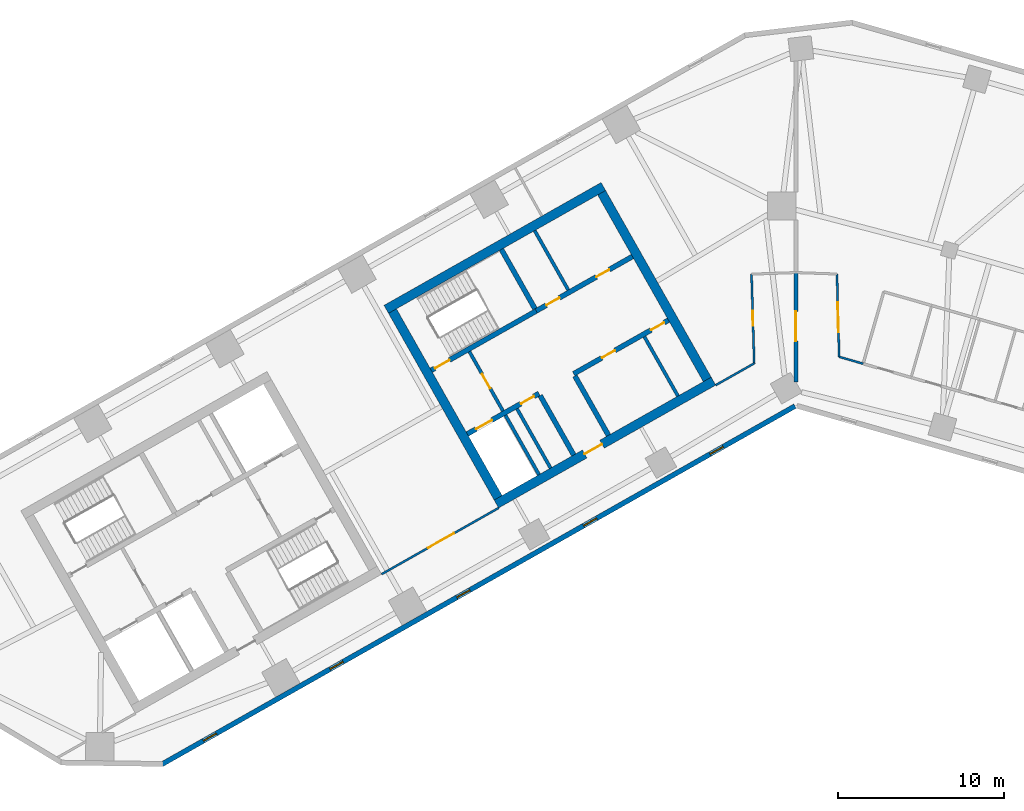
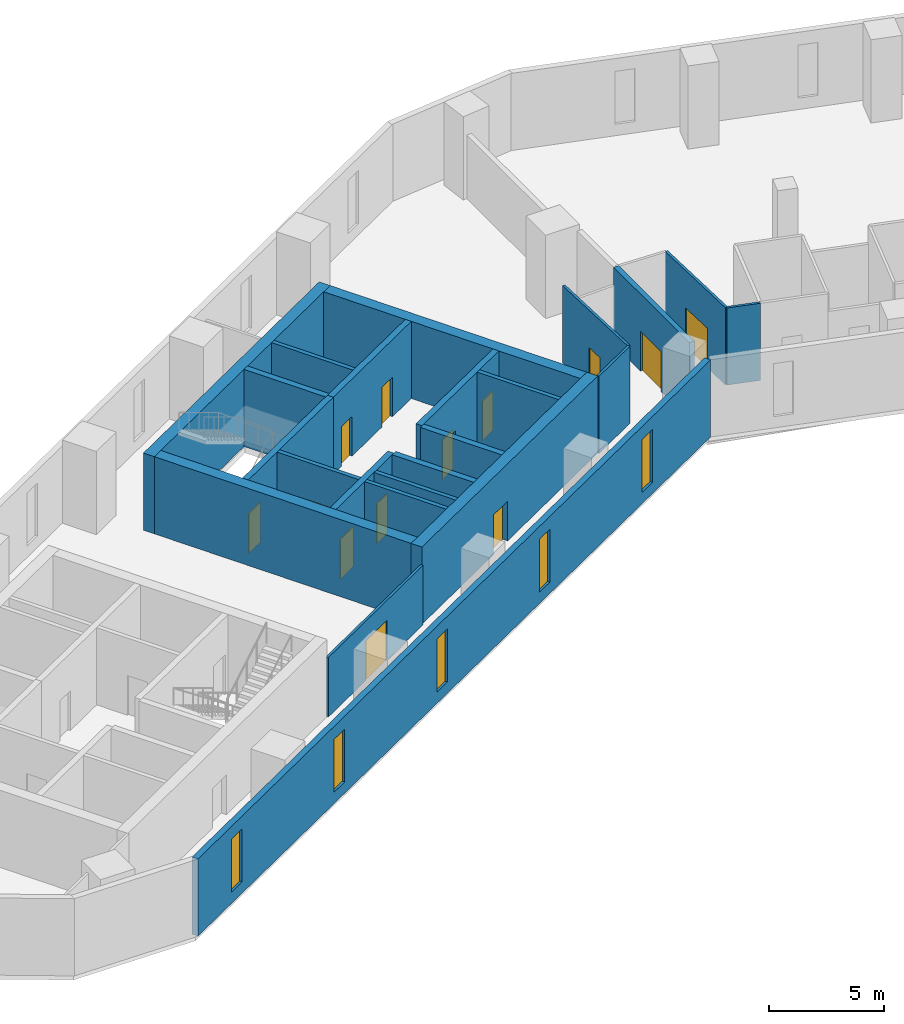
# One storey, part 4 of 10: 23 walls, 13 doors, 5 windows, 18 openings.
"""IFC4 building model written with IfcOpenShell, lengths in metres."""

from ifc_helpers import new_model, si_unit, direction, frame, frame_2d, origin, place, context, subcontext, project, spatial, rectangle, extrude, material, layer, layer_set, type_object, element, fill, save


model = new_model("IFC4")

# Units and contexts
model_context = context("Model", 3, precision=1e-05, world=origin(), true_north=direction((0.0, 1.0)))
body_context = subcontext(model_context, "Body", "Model", "MODEL_VIEW")
ifc_project = project(units=[si_unit("LENGTHUNIT", "METRE"), si_unit("AREAUNIT", "SQUARE_METRE"), si_unit("VOLUMEUNIT", "CUBIC_METRE"), si_unit("PLANEANGLEUNIT", "RADIAN"), si_unit("MASSUNIT", "GRAM", prefix="KILO")], contexts=[model_context])

# Site, building, storey
site_placement = place(None, origin())
site = spatial("IfcSite", under=ifc_project, at=site_placement, CompositionType="ELEMENT")
building_placement = place(site_placement, origin())
building = spatial("IfcBuilding", under=site, at=building_placement, Name="Binnacle Exchange Tower", CompositionType="ELEMENT")
storey_placement = place(building_placement, frame((0.0, 0.0, 127.89990234375)))
storey = spatial("IfcBuildingStorey", under=building, at=storey_placement, Name="L26", CompositionType="ELEMENT", Elevation=127.89990234375)

# Walls
ifc_material_1 = material(Name="Gypsum partition fire rated")
ifc_layer_1 = layer(ifc_material_1, 0.199951171875)
ifc_layer_set_1 = layer_set([ifc_layer_1], Name="Core partition 200")
wall_type_1 = type_object("IfcWallType", Name="Core partition 200", PredefinedType="PARTITIONING", material=ifc_layer_set_1)
wall_1_placement = place(storey_placement, frame((-15.709228515625, 58.52294921875, 0.0), z_axis=(0.0, 0.0, 1.0), x_axis=(0.492428039142, -0.870353161807, 0.0)))
element("IfcWall", 1, at=wall_1_placement, inside=storey, type_object=wall_type_1, Name="Core wall CRWC17", PredefinedType="PARTITIONING", context=body_context, shape_type="SweptSolid", body=[
    extrude(rectangle(XDim=4.10009765625, YDim=0.199951171875, at=frame_2d((2.050048828125, 0.0))), origin(), (0.0, 0.0, 1.0), 4.080078125),
])
wall_2_placement = place(storey_placement, frame((-9.11279296875, 52.14404296875, 0.0), z_axis=(0.0, 0.0, 1.0), x_axis=(0.492408451753, -0.87036424366, 0.0)))
element("IfcWall", 2, at=wall_2_placement, inside=storey, type_object=wall_type_1, Name="Core wall CRWC22", PredefinedType="PARTITIONING", context=body_context, shape_type="SweptSolid", body=[
    extrude(rectangle(XDim=4.099853515625, YDim=0.199951171875, at=frame_2d((2.0498046875, 0.0))), origin(), (0.0, 0.0, 1.0), 4.080078125),
])

# Wall, openings, doors
ifc_material_2 = material(Name="Concrete C70/85", Category="concrete")
ifc_layer_2 = layer(ifc_material_2, 0.300048828125)
ifc_layer_set_2 = layer_set([ifc_layer_2], Name="Core wall - front 300")
wall_type_2 = type_object("IfcWallType", Name="Core wall - front 300", PredefinedType="SOLIDWALL", material=ifc_layer_set_2)
wall_3_placement = place(storey_placement, frame((-19.76171875, 46.291748046875, 0.0), z_axis=(0.0, 0.0, 1.0), x_axis=(0.870359758983, 0.49241637863, 0.0)))
wall_3 = element("IfcWall", 3, at=wall_3_placement, inside=storey, type_object=wall_type_2, Name="Core wall CRWC2", PredefinedType="SOLIDWALL", context=body_context, shape_type="SweptSolid", body=[
    extrude(rectangle(XDim=4.9501953125, YDim=0.300048828125, at=frame_2d((2.47509765625, 0.0))), origin(), (0.0, 0.0, 1.0), 4.080078125),
])
opening_1_placement = place(wall_3_placement, frame((0.60009765625, 0.0, 0.0)))
opening_1 = element("IfcOpeningElement", 4, at=opening_1_placement, cuts=wall_3, Name="Opening LD14", PredefinedType="OPENING", context=body_context, shape_type="SweptSolid", body=[
    extrude(rectangle(XDim=1.10009765625, YDim=2.10009765625, at=frame_2d((0.550048828125, 1.050048828125))), frame((0.0, 0.159912109375, 0.0), z_axis=(0.0, -1.0, 0.0), x_axis=(1.0, 0.0, 0.0)), (0.0, 0.0, 1.0), 0.320068359375),
])
opening_2_placement = place(wall_3_placement, frame((3.699951171875, 0.0, 0.0)))
opening_2 = element("IfcOpeningElement", 5, at=opening_2_placement, cuts=wall_3, Name="Opening DC14", PredefinedType="OPENING", context=body_context, shape_type="SweptSolid", body=[
    extrude(rectangle(XDim=0.89990234375, YDim=2.10009765625, at=frame_2d((0.449951171875, 1.050048828125))), frame((0.0, 0.159912109375, 0.0), z_axis=(0.0, -1.0, 0.0), x_axis=(1.0, 0.0, 0.0)), (0.0, 0.0, 1.0), 0.320068359375),
])
ifc_material_3 = material(Name="Steel door leaf", Category="steel")
door_type_1 = type_object("IfcDoorType", Name="Fire door - lift landing 1100", OperationType="NOTDEFINED", PredefinedType="DOOR", material=ifc_material_3)
door_1_placement = place(opening_1_placement, origin())
door_1 = element("IfcDoor", 6, at=door_1_placement, inside=storey, type_object=door_type_1, Name="Landing door LD14 L26", OperationType="DOUBLE_DOOR_SLIDING", OverallHeight=2.10009765625, OverallWidth=1.10009765625, PredefinedType="DOOR", context=body_context, shape_type="SweptSolid", body=[
    extrude(rectangle(XDim=1.10009765625, YDim=2.10009765625, at=frame_2d((0.550048828125, 1.050048828125))), frame((0.0, 0.02490234375, 0.0), z_axis=(0.0, -1.0, 0.0), x_axis=(1.0, 0.0, 0.0)), (0.0, 0.0, 1.0), 0.050048828125),
])
fill(opening_1, door_1)
door_type_2 = type_object("IfcDoorType", Name="Fire door 900", OperationType="NOTDEFINED", PredefinedType="DOOR", material=ifc_material_3)
door_2_placement = place(opening_2_placement, frame((0.89990234375, 0.0, 0.0), z_axis=(0.0, 0.0, 1.0), x_axis=(-1.0, 0.0, 0.0)))
door_2 = element("IfcDoor", 7, at=door_2_placement, inside=storey, type_object=door_type_2, Name="Core room door FIBRE ENTRY ROOM", OperationType="SINGLE_SWING_LEFT", OverallHeight=2.10009765625, OverallWidth=0.89990234375, PredefinedType="DOOR", context=body_context, shape_type="SweptSolid", body=[
    extrude(rectangle(XDim=0.89990234375, YDim=2.10009765625, at=frame_2d((0.449951171875, 1.050048828125))), frame((0.0, 0.02490234375, 0.0), z_axis=(0.0, -1.0, 0.0), x_axis=(1.0, 0.0, 0.0)), (0.0, 0.0, 1.0), 0.050048828125),
])
fill(opening_2, door_2)

wall_4_placement = place(storey_placement, frame((-13.364501953125, 49.910888671875, 0.0), z_axis=(0.0, 0.0, 1.0), x_axis=(0.870336435567, 0.492457601144, 0.0)))
wall_4 = element("IfcWall", 8, at=wall_4_placement, inside=storey, type_object=wall_type_2, Name="Core wall CRWC3", PredefinedType="SOLIDWALL", context=body_context, shape_type="SweptSolid", body=[
    extrude(rectangle(XDim=6.550048828125, YDim=0.300048828125, at=frame_2d((3.27490234375, 0.0))), origin(), (0.0, 0.0, 1.0), 4.080078125),
])
opening_3_placement = place(wall_4_placement, frame((1.949951171875, 0.0, 0.0)))
opening_3 = element("IfcOpeningElement", 9, at=opening_3_placement, cuts=wall_4, Name="Opening DC18", PredefinedType="OPENING", context=body_context, shape_type="SweptSolid", body=[
    extrude(rectangle(XDim=0.89990234375, YDim=2.10009765625, at=frame_2d((0.449951171875, 1.050048828125))), frame((0.0, 0.159912109375, 0.0), z_axis=(0.0, -1.0, 0.0), x_axis=(1.0, 0.0, 0.0)), (0.0, 0.0, 1.0), 0.320068359375),
])
opening_4_placement = place(wall_4_placement, frame((5.35009765625, 0.0, 0.0)))
opening_4 = element("IfcOpeningElement", 10, at=opening_4_placement, cuts=wall_4, Name="Opening DC19", PredefinedType="OPENING", context=body_context, shape_type="SweptSolid", body=[
    extrude(rectangle(XDim=0.89990234375, YDim=2.10009765625, at=frame_2d((0.449951171875, 1.050048828125))), frame((0.0, 0.159912109375, 0.0), z_axis=(0.0, -1.0, 0.0), x_axis=(1.0, 0.0, 0.0)), (0.0, 0.0, 1.0), 0.320068359375),
])
door_3_placement = place(opening_3_placement, frame((0.89990234375, 0.0, 0.0), z_axis=(0.0, 0.0, 1.0), x_axis=(-1.0, 0.0, 0.0)))
door_3 = element("IfcDoor", 11, at=door_3_placement, inside=storey, type_object=door_type_2, Name="Core room door TELECOM RISER ROOM", OperationType="SINGLE_SWING_RIGHT", OverallHeight=2.10009765625, OverallWidth=0.89990234375, PredefinedType="DOOR", context=body_context, shape_type="SweptSolid", body=[
    extrude(rectangle(XDim=0.89990234375, YDim=2.10009765625, at=frame_2d((0.449951171875, 1.050048828125))), frame((0.0, 0.02490234375, 0.0), z_axis=(0.0, -1.0, 0.0), x_axis=(1.0, 0.0, 0.0)), (0.0, 0.0, 1.0), 0.050048828125),
])
fill(opening_3, door_3)
door_4_placement = place(opening_4_placement, frame((0.89990234375, 0.0, 0.0), z_axis=(0.0, 0.0, 1.0), x_axis=(-1.0, 0.0, 0.0)))
door_4 = element("IfcDoor", 12, at=door_4_placement, inside=storey, type_object=door_type_2, Name="Core room door COMMS RISER ROOM", OperationType="SINGLE_SWING_LEFT", OverallHeight=2.10009765625, OverallWidth=0.89990234375, PredefinedType="DOOR", context=body_context, shape_type="SweptSolid", body=[
    extrude(rectangle(XDim=0.89990234375, YDim=2.10009765625, at=frame_2d((0.449951171875, 1.050048828125))), frame((0.0, 0.02490234375, 0.0), z_axis=(0.0, -1.0, 0.0), x_axis=(1.0, 0.0, 0.0)), (0.0, 0.0, 1.0), 0.050048828125),
])
fill(opening_4, door_4)

wall_5_placement = place(storey_placement, frame((-15.6181640625, 53.69140625, 0.0), z_axis=(0.0, 0.0, 1.0), x_axis=(0.870367894134, 0.492401999246, 0.0)))
wall_5 = element("IfcWall", 13, at=wall_5_placement, inside=storey, type_object=wall_type_2, Name="Core wall CRWC5", PredefinedType="SOLIDWALL", context=body_context, shape_type="SweptSolid", body=[
    extrude(rectangle(XDim=6.64990234375, YDim=0.300048828125, at=frame_2d((3.324951171875, 0.0))), origin(), (0.0, 0.0, 1.0), 4.080078125),
])
opening_5_placement = place(wall_5_placement, frame((0.699951171875, 0.0, 0.0)))
opening_5 = element("IfcOpeningElement", 14, at=opening_5_placement, cuts=wall_5, Name="Opening DC10", PredefinedType="OPENING", context=body_context, shape_type="SweptSolid", body=[
    extrude(rectangle(XDim=0.89990234375, YDim=2.10009765625, at=frame_2d((0.449951171875, 1.050048828125))), frame((0.0, 0.159912109375, 0.0), z_axis=(0.0, -1.0, 0.0), x_axis=(1.0, 0.0, 0.0)), (0.0, 0.0, 1.0), 0.320068359375),
])
opening_6_placement = place(wall_5_placement, frame((4.14990234375, 0.0, 0.0)))
opening_6 = element("IfcOpeningElement", 15, at=opening_6_placement, cuts=wall_5, Name="Opening DC11", PredefinedType="OPENING", context=body_context, shape_type="SweptSolid", body=[
    extrude(rectangle(XDim=0.89990234375, YDim=2.10009765625, at=frame_2d((0.449951171875, 1.050048828125))), frame((0.0, 0.159912109375, 0.0), z_axis=(0.0, -1.0, 0.0), x_axis=(1.0, 0.0, 0.0)), (0.0, 0.0, 1.0), 0.320068359375),
])
door_5_placement = place(opening_5_placement, origin())
door_5 = element("IfcDoor", 16, at=door_5_placement, inside=storey, type_object=door_type_2, Name="Core room door UPS CUPBOARD", OperationType="SINGLE_SWING_LEFT", OverallHeight=2.10009765625, OverallWidth=0.89990234375, PredefinedType="DOOR", context=body_context, shape_type="SweptSolid", body=[
    extrude(rectangle(XDim=0.89990234375, YDim=2.10009765625, at=frame_2d((0.449951171875, 1.050048828125))), frame((0.0, 0.02490234375, 0.0), z_axis=(0.0, -1.0, 0.0), x_axis=(1.0, 0.0, 0.0)), (0.0, 0.0, 1.0), 0.050048828125),
])
fill(opening_5, door_5)
door_6_placement = place(opening_6_placement, origin())
door_6 = element("IfcDoor", 17, at=door_6_placement, inside=storey, type_object=door_type_2, Name="Core room door EQUIPMENT STORE", OperationType="SINGLE_SWING_RIGHT", OverallHeight=2.10009765625, OverallWidth=0.89990234375, PredefinedType="DOOR", context=body_context, shape_type="SweptSolid", body=[
    extrude(rectangle(XDim=0.89990234375, YDim=2.10009765625, at=frame_2d((0.449951171875, 1.050048828125))), frame((0.0, 0.02490234375, 0.0), z_axis=(0.0, -1.0, 0.0), x_axis=(1.0, 0.0, 0.0)), (0.0, 0.0, 1.0), 0.050048828125),
])
fill(opening_6, door_6)

# Walls
wall_6_placement = place(storey_placement, frame((-15.37939453125, 48.5986328125, 0.0), z_axis=(0.0, 0.0, 1.0), x_axis=(0.492408451753, -0.87036424366, 0.0)))
element("IfcWall", 18, at=wall_6_placement, inside=storey, type_object=wall_type_2, Name="Core wall CRWC13", PredefinedType="SOLIDWALL", context=body_context, shape_type="SweptSolid", body=[
    extrude(rectangle(XDim=4.099853515625, YDim=0.300048828125, at=frame_2d((2.0498046875, 0.0))), origin(), (0.0, 0.0, 1.0), 4.080078125),
])
wall_7_placement = place(storey_placement, frame((-13.29052734375, 49.780517578125, 0.0), z_axis=(0.0, 0.0, 1.0), x_axis=(0.492382931784, -0.870378681085, 0.0)))
element("IfcWall", 19, at=wall_7_placement, inside=storey, type_object=wall_type_2, Name="Core wall CRWC15", PredefinedType="SOLIDWALL", context=body_context, shape_type="SweptSolid", body=[
    extrude(rectangle(XDim=4.10009765625, YDim=0.300048828125, at=frame_2d((2.050048828125, 0.0))), origin(), (0.0, 0.0, 1.0), 4.080078125),
])

# Wall, opening, door
ifc_layer_3 = layer(ifc_material_2, 0.550048828125)
ifc_layer_set_3 = layer_set([ifc_layer_3], Name="Core wall - outer 550")
wall_type_3 = type_object("IfcWallType", Name="Core wall - outer 550", PredefinedType="SOLIDWALL", material=ifc_layer_set_3)
wall_8_placement = place(storey_placement, frame((-18.01220703125, 42.08251953125, 0.0), z_axis=(0.0, 0.0, 1.0), x_axis=(0.870360574057, 0.492414937962, 0.0)))
wall_8 = element("IfcWall", 20, at=wall_8_placement, inside=storey, type_object=wall_type_3, Name="Core wall CRWC1", PredefinedType="SOLIDWALL", context=body_context, shape_type="SweptSolid", body=[
    extrude(rectangle(XDim=15.0, YDim=0.550048828125, at=frame_2d((7.5, 0.0))), origin(), (0.0, 0.0, 1.0), 4.080078125),
])
opening_7_placement = place(wall_8_placement, frame((6.10009765625, 0.0, 0.0)))
opening_7 = element("IfcOpeningElement", 21, at=opening_7_placement, cuts=wall_8, Name="Opening DC7", PredefinedType="OPENING", context=body_context, shape_type="SweptSolid", body=[
    extrude(rectangle(XDim=1.199951171875, YDim=2.10009765625, at=frame_2d((0.60009765625, 1.050048828125))), frame((0.0, 0.284912109375, 0.0), z_axis=(0.0, -1.0, 0.0), x_axis=(1.0, 0.0, 0.0)), (0.0, 0.0, 1.0), 0.570068359375),
])
door_type_3 = type_object("IfcDoorType", Name="Fire door 1200", OperationType="NOTDEFINED", PredefinedType="DOOR", material=ifc_material_3)
door_7_placement = place(opening_7_placement, frame((1.199951171875, 0.0, 0.0), z_axis=(0.0, 0.0, 1.0), x_axis=(-1.0, 0.0, 0.0)))
door_7 = element("IfcDoor", 22, at=door_7_placement, inside=storey, type_object=door_type_3, Name="Lift lobby entrance door core C", OperationType="SINGLE_SWING_RIGHT", OverallHeight=2.10009765625, OverallWidth=1.199951171875, PredefinedType="DOOR", context=body_context, shape_type="SweptSolid", body=[
    extrude(rectangle(XDim=1.199951171875, YDim=2.10009765625, at=frame_2d((0.60009765625, 1.050048828125))), frame((0.0, 0.02490234375, 0.0), z_axis=(0.0, -1.0, 0.0), x_axis=(1.0, 0.0, 0.0)), (0.0, 0.0, 1.0), 0.050048828125),
])
fill(opening_7, door_7)

# Walls
wall_9_placement = place(storey_placement, frame((-24.63525390625, 53.788818359375, 0.0), z_axis=(0.0, 0.0, 1.0), x_axis=(0.870360574057, 0.492414937962, 0.0)))
element("IfcWall", 23, at=wall_9_placement, inside=storey, type_object=wall_type_3, Name="Core wall CRWC6", PredefinedType="SOLIDWALL", context=body_context, shape_type="SweptSolid", body=[
    extrude(rectangle(XDim=15.0, YDim=0.550048828125, at=frame_2d((7.5, 0.0))), origin(), (0.0, 0.0, 1.0), 4.080078125),
])
for number, where, z_axis, x_axis, name in (
    (24, (-24.260498046875, 53.684814453125, 0.0), (0.0, 0.0, 1.0), (0.492427022044, -0.870353737259, 0.0), "Core wall CRWC7"),
    (25, (-11.683837890625, 60.80029296875, 0.0), (0.0, 0.0, 1.0), (0.492427022044, -0.870353737259, 0.0), "Core wall CRWC24"),
):
    element("IfcWall", number, at=place(storey_placement, frame(where, z_axis=z_axis, x_axis=x_axis)), inside=storey, type_object=wall_type_3, Name=name, PredefinedType="SOLIDWALL", context=body_context, shape_type="SweptSolid", body=[
        extrude(rectangle(XDim=12.89990234375, YDim=0.550048828125, at=frame_2d((6.449951171875, 0.0))), origin(), (0.0, 0.0, 1.0), 4.080078125),
    ])

# Wall, opening, door
ifc_layer_4 = layer(ifc_material_2, 0.300048828125)
ifc_layer_set_4 = layer_set([ifc_layer_4], Name="Core wall - stair 300")
wall_type_4 = type_object("IfcWallType", Name="Core wall - stair 300", PredefinedType="SOLIDWALL", material=ifc_layer_set_4)
wall_10_placement = place(storey_placement, frame((-21.92822265625, 50.12109375, 0.0), z_axis=(0.0, 0.0, 1.0), x_axis=(0.870340732628, 0.49245000673, 0.0)))
wall_10 = element("IfcWall", 26, at=wall_10_placement, inside=storey, type_object=wall_type_4, Name="Core wall CRWC4", PredefinedType="SOLIDWALL", context=body_context, shape_type="SweptSolid", body=[
    extrude(rectangle(XDim=7.25, YDim=0.300048828125, at=frame_2d((3.625, 0.0))), origin(), (0.0, 0.0, 1.0), 4.080078125),
])
opening_8_placement = place(wall_10_placement, frame((0.25, 0.0, 0.0)))
opening_8 = element("IfcOpeningElement", 27, at=opening_8_placement, cuts=wall_10, Name="Opening DC1", PredefinedType="OPENING", context=body_context, shape_type="SweptSolid", body=[
    extrude(rectangle(XDim=1.0, YDim=2.10009765625, at=frame_2d((0.5, 1.050048828125))), frame((0.0, 0.159912109375, 0.0), z_axis=(0.0, -1.0, 0.0), x_axis=(1.0, 0.0, 0.0)), (0.0, 0.0, 1.0), 0.320068359375),
])
door_type_4 = type_object("IfcDoorType", Name="Fire door 1000", OperationType="NOTDEFINED", PredefinedType="DOOR", material=ifc_material_3)
door_8_placement = place(opening_8_placement, origin())
door_8 = element("IfcDoor", 28, at=door_8_placement, inside=storey, type_object=door_type_4, Name="Stair door ST-C1", OperationType="SINGLE_SWING_LEFT", OverallHeight=2.10009765625, OverallWidth=1.0, PredefinedType="DOOR", context=body_context, shape_type="SweptSolid", body=[
    extrude(rectangle(XDim=1.0, YDim=2.10009765625, at=frame_2d((0.5, 1.050048828125))), frame((0.0, 0.02490234375, 0.0), z_axis=(0.0, -1.0, 0.0), x_axis=(1.0, 0.0, 0.0)), (0.0, 0.0, 1.0), 0.050048828125),
])
fill(opening_8, door_8)

# Wall
wall_11_placement = place(storey_placement, frame((-17.7109375, 57.390380859375, 0.0), z_axis=(0.0, 0.0, 1.0), x_axis=(0.492408451753, -0.87036424366, 0.0)))
element("IfcWall", 29, at=wall_11_placement, inside=storey, type_object=wall_type_4, Name="Core wall CRWC14", PredefinedType="SOLIDWALL", context=body_context, shape_type="SweptSolid", body=[
    extrude(rectangle(XDim=4.099853515625, YDim=0.300048828125, at=frame_2d((2.0498046875, 0.0))), origin(), (0.0, 0.0, 1.0), 4.080078125),
])

# Wall, openings, windows
ifc_material_4 = material(Name="Bronze aluminium cladding", Category="aluminium")
ifc_layer_5 = layer(ifc_material_4, 0.300048828125)
ifc_layer_set_5 = layer_set([ifc_layer_5], Name="External wall - spandrel 300")
wall_type_5 = type_object("IfcWallType", Name="External wall - spandrel 300", PredefinedType="STANDARD", material=ifc_layer_set_5)
wall_12_placement = place(storey_placement, frame((-0.0546875, 47.968994140625, 0.0), z_axis=(0.0, 0.0, 1.0), x_axis=(-0.870355730478, -0.492423499058, 0.0)))
wall_12 = element("IfcWall", 30, at=wall_12_placement, inside=storey, type_object=wall_type_5, Name="External wall EW-F07 L26", PredefinedType="STANDARD", context=body_context, shape_type="SweptSolid", body=[
    extrude(rectangle(XDim=43.750244140625, YDim=0.300048828125, at=frame_2d((21.875, 0.0))), origin(), (0.0, 0.0, 1.0), 4.080078125),
])
opening_9_placement = place(wall_12_placement, frame((39.976806640625, 0.0, 0.60009765625)))
opening_9 = element("IfcOpeningElement", 31, at=opening_9_placement, cuts=wall_12, Name="Opening WS2", PredefinedType="OPENING", context=body_context, shape_type="SweptSolid", body=[
    extrude(rectangle(XDim=0.89990234375, YDim=2.800048828125, at=frame_2d((0.449951171875, 1.39990234375))), frame((0.0, 0.159912109375, 0.0), z_axis=(0.0, -1.0, 0.0), x_axis=(1.0, 0.0, 0.0)), (0.0, 0.0, 1.0), 0.320068359375),
])
opening_10_placement = place(wall_12_placement, frame((31.222412109375, 0.0, 0.60009765625)))
opening_10 = element("IfcOpeningElement", 32, at=opening_10_placement, cuts=wall_12, Name="Opening WS2", PredefinedType="OPENING", context=body_context, shape_type="SweptSolid", body=[
    extrude(rectangle(XDim=0.89990234375, YDim=2.800048828125, at=frame_2d((0.449951171875, 1.39990234375))), frame((0.0, 0.159912109375, 0.0), z_axis=(0.0, -1.0, 0.0), x_axis=(1.0, 0.0, 0.0)), (0.0, 0.0, 1.0), 0.320068359375),
])
opening_11_placement = place(wall_12_placement, frame((22.4677734375, 0.0, 0.60009765625)))
opening_11 = element("IfcOpeningElement", 33, at=opening_11_placement, cuts=wall_12, Name="Opening WS2", PredefinedType="OPENING", context=body_context, shape_type="SweptSolid", body=[
    extrude(rectangle(XDim=0.89990234375, YDim=2.800048828125, at=frame_2d((0.449951171875, 1.39990234375))), frame((0.0, 0.159912109375, 0.0), z_axis=(0.0, -1.0, 0.0), x_axis=(1.0, 0.0, 0.0)), (0.0, 0.0, 1.0), 0.320068359375),
])
opening_12_placement = place(wall_12_placement, frame((13.713134765625, 0.0, 0.60009765625)))
opening_12 = element("IfcOpeningElement", 34, at=opening_12_placement, cuts=wall_12, Name="Opening WS2", PredefinedType="OPENING", context=body_context, shape_type="SweptSolid", body=[
    extrude(rectangle(XDim=0.89990234375, YDim=2.800048828125, at=frame_2d((0.449951171875, 1.39990234375))), frame((0.0, 0.159912109375, 0.0), z_axis=(0.0, -1.0, 0.0), x_axis=(1.0, 0.0, 0.0)), (0.0, 0.0, 1.0), 0.320068359375),
])
opening_13_placement = place(wall_12_placement, frame((4.958740234375, 0.0, 0.60009765625)))
opening_13 = element("IfcOpeningElement", 35, at=opening_13_placement, cuts=wall_12, Name="Opening WS2", PredefinedType="OPENING", context=body_context, shape_type="SweptSolid", body=[
    extrude(rectangle(XDim=0.89990234375, YDim=2.800048828125, at=frame_2d((0.449951171875, 1.39990234375))), frame((0.0, 0.159912109375, 0.0), z_axis=(0.0, -1.0, 0.0), x_axis=(1.0, 0.0, 0.0)), (0.0, 0.0, 1.0), 0.320068359375),
])
ifc_material_5 = material(Name="Bronze anodised aluminium frame", Category="aluminium")
window_type = type_object("IfcWindowType", Name="WS2 WINDOW 900x2800", PartitioningType="SINGLE_PANEL", PredefinedType="WINDOW", material=ifc_material_5)
window_1_placement = place(opening_9_placement, origin())
window_1 = element("IfcWindow", 36, at=window_1_placement, inside=storey, type_object=window_type, Name="Window WS2 L26", OverallHeight=2.800048828125, OverallWidth=0.89990234375, PartitioningType="SINGLE_PANEL", PredefinedType="WINDOW", context=body_context, shape_type="SweptSolid", body=[
    extrude(rectangle(XDim=0.89990234375, YDim=2.800048828125, at=frame_2d((0.449951171875, 1.39990234375))), frame((0.0, 0.030029296875, 0.0), z_axis=(0.0, -1.0, 0.0), x_axis=(1.0, 0.0, 0.0)), (0.0, 0.0, 1.0), 0.06005859375),
])
fill(opening_9, window_1)
window_2_placement = place(opening_10_placement, origin())
window_2 = element("IfcWindow", 37, at=window_2_placement, inside=storey, type_object=window_type, Name="Window WS2 L26", OverallHeight=2.800048828125, OverallWidth=0.89990234375, PartitioningType="SINGLE_PANEL", PredefinedType="WINDOW", context=body_context, shape_type="SweptSolid", body=[
    extrude(rectangle(XDim=0.89990234375, YDim=2.800048828125, at=frame_2d((0.449951171875, 1.39990234375))), frame((0.0, 0.030029296875, 0.0), z_axis=(0.0, -1.0, 0.0), x_axis=(1.0, 0.0, 0.0)), (0.0, 0.0, 1.0), 0.06005859375),
])
fill(opening_10, window_2)
window_3_placement = place(opening_11_placement, origin())
window_3 = element("IfcWindow", 38, at=window_3_placement, inside=storey, type_object=window_type, Name="Window WS2 L26", OverallHeight=2.800048828125, OverallWidth=0.89990234375, PartitioningType="SINGLE_PANEL", PredefinedType="WINDOW", context=body_context, shape_type="SweptSolid", body=[
    extrude(rectangle(XDim=0.89990234375, YDim=2.800048828125, at=frame_2d((0.449951171875, 1.39990234375))), frame((0.0, 0.030029296875, 0.0), z_axis=(0.0, -1.0, 0.0), x_axis=(1.0, 0.0, 0.0)), (0.0, 0.0, 1.0), 0.06005859375),
])
fill(opening_11, window_3)
window_4_placement = place(opening_12_placement, origin())
window_4 = element("IfcWindow", 39, at=window_4_placement, inside=storey, type_object=window_type, Name="Window WS2 L26", OverallHeight=2.800048828125, OverallWidth=0.89990234375, PartitioningType="SINGLE_PANEL", PredefinedType="WINDOW", context=body_context, shape_type="SweptSolid", body=[
    extrude(rectangle(XDim=0.89990234375, YDim=2.800048828125, at=frame_2d((0.449951171875, 1.39990234375))), frame((0.0, 0.030029296875, 0.0), z_axis=(0.0, -1.0, 0.0), x_axis=(1.0, 0.0, 0.0)), (0.0, 0.0, 1.0), 0.06005859375),
])
fill(opening_12, window_4)
window_5_placement = place(opening_13_placement, origin())
window_5 = element("IfcWindow", 40, at=window_5_placement, inside=storey, type_object=window_type, Name="Window WS2 L26", OverallHeight=2.800048828125, OverallWidth=0.89990234375, PartitioningType="SINGLE_PANEL", PredefinedType="WINDOW", context=body_context, shape_type="SweptSolid", body=[
    extrude(rectangle(XDim=0.89990234375, YDim=2.800048828125, at=frame_2d((0.449951171875, 1.39990234375))), frame((0.0, 0.030029296875, 0.0), z_axis=(0.0, -1.0, 0.0), x_axis=(1.0, 0.0, 0.0)), (0.0, 0.0, 1.0), 0.06005859375),
])
fill(opening_13, window_5)

# Wall, opening, door
ifc_material_6 = material(Name="Concrete fire wall C30/37", Category="concrete")
ifc_layer_6 = layer(ifc_material_6, 0.25)
ifc_layer_set_6 = layer_set([ifc_layer_6], Name="Fire wall - compartment 250")
wall_type_6 = type_object("IfcWallType", Name="Fire wall - compartment 250", PredefinedType="PARTITIONING", material=ifc_layer_set_6)
wall_13_placement = place(storey_placement, frame((0.0, 49.422119140625, 0.0), z_axis=(0.0, 0.0, 1.0), x_axis=(0.0, 1.0, 0.0)))
wall_13 = element("IfcWall", 41, at=wall_13_placement, inside=storey, type_object=wall_type_6, Name="Fire Wall W08", PredefinedType="PARTITIONING", context=body_context, shape_type="SweptSolid", body=[
    extrude(rectangle(XDim=6.577880859375, YDim=0.25, at=frame_2d((3.2890625, 0.0))), origin(), (0.0, 0.0, 1.0), 4.080078125),
])
opening_14_placement = place(wall_13_placement, frame((2.449951171875, 0.0, 0.0)))
opening_14 = element("IfcOpeningElement", 42, at=opening_14_placement, cuts=wall_13, Name="Opening DL25-10", PredefinedType="OPENING", context=body_context, shape_type="SweptSolid", body=[
    extrude(rectangle(XDim=1.800048828125, YDim=2.10009765625, at=frame_2d((0.89990234375, 1.050048828125))), frame((0.0, 0.135009765625, 0.0), z_axis=(0.0, -1.0, 0.0), x_axis=(1.0, 0.0, 0.0)), (0.0, 0.0, 1.0), 0.27001953125),
])
door_type_5 = type_object("IfcDoorType", Name="Fire door 1800", OperationType="NOTDEFINED", PredefinedType="DOOR", material=ifc_material_3)
door_9_placement = place(opening_14_placement, origin())
door_9 = element("IfcDoor", 43, at=door_9_placement, inside=storey, type_object=door_type_5, Name="Door DL25-10", OperationType="DOUBLE_DOOR_SINGLE_SWING", OverallHeight=2.10009765625, OverallWidth=1.800048828125, PredefinedType="DOOR", context=body_context, shape_type="SweptSolid", body=[
    extrude(rectangle(XDim=1.800048828125, YDim=2.10009765625, at=frame_2d((0.89990234375, 1.050048828125))), frame((0.0, 0.02490234375, 0.0), z_axis=(0.0, -1.0, 0.0), x_axis=(1.0, 0.0, 0.0)), (0.0, 0.0, 1.0), 0.050048828125),
])
fill(opening_14, door_9)

ifc_material_7 = material(Name="Masonry block wall", Category="masonry")
ifc_layer_7 = layer(ifc_material_7, 0.199951171875)
ifc_layer_set_7 = layer_set([ifc_layer_7], Name="Fire wall - vestibule 200")
wall_type_7 = type_object("IfcWallType", Name="Fire wall - vestibule 200", PredefinedType="PARTITIONING", material=ifc_layer_set_7)
wall_14_placement = place(storey_placement, frame((-19.635009765625, 51.246337890625, 0.0), z_axis=(0.0, 0.0, 1.0), x_axis=(0.492408451753, -0.87036424366, 0.0)))
wall_14 = element("IfcWall", 44, at=wall_14_placement, inside=storey, type_object=wall_type_7, Name="Core wall CRWC10", PredefinedType="PARTITIONING", context=body_context, shape_type="SweptSolid", body=[
    extrude(rectangle(XDim=4.099853515625, YDim=0.199951171875, at=frame_2d((2.0498046875, 0.0))), origin(), (0.0, 0.0, 1.0), 4.080078125),
])
opening_15_placement = place(wall_14_placement, frame((1.550048828125, 0.0, 0.0)))
opening_15 = element("IfcOpeningElement", 45, at=opening_15_placement, cuts=wall_14, Name="Opening DC3", PredefinedType="OPENING", context=body_context, shape_type="SweptSolid", body=[
    extrude(rectangle(XDim=1.0, YDim=2.10009765625, at=frame_2d((0.5, 1.050048828125))), frame((0.0, 0.10986328125, 0.0), z_axis=(0.0, -1.0, 0.0), x_axis=(1.0, 0.0, 0.0)), (0.0, 0.0, 1.0), 0.219970703125),
])
door_10_placement = place(opening_15_placement, frame((1.0, 0.0, 0.0), z_axis=(0.0, 0.0, 1.0), x_axis=(-1.0, 0.0, 0.0)))
door_10 = element("IfcDoor", 46, at=door_10_placement, inside=storey, type_object=door_type_4, Name="Vestibule door VEST-W", OperationType="SINGLE_SWING_RIGHT", OverallHeight=2.10009765625, OverallWidth=1.0, PredefinedType="DOOR", context=body_context, shape_type="SweptSolid", body=[
    extrude(rectangle(XDim=1.0, YDim=2.10009765625, at=frame_2d((0.5, 1.050048828125))), frame((0.0, 0.02490234375, 0.0), z_axis=(0.0, -1.0, 0.0), x_axis=(1.0, 0.0, 0.0)), (0.0, 0.0, 1.0), 0.050048828125),
])
fill(opening_15, door_10)

ifc_material_8 = material(Name="Gypsum partition")
ifc_layer_8 = layer(ifc_material_8, 0.125)
ifc_layer_set_8 = layer_set([ifc_layer_8], Name="Partition 125")
wall_type_8 = type_object("IfcWallType", Name="Partition 125", PredefinedType="PARTITIONING", material=ifc_layer_set_8)
wall_15_placement = place(storey_placement, frame((-24.9189453125, 37.85888671875, 0.0), z_axis=(0.0, 0.0, 1.0), x_axis=(0.870357635969, 0.492420131098, 0.0)))
wall_15 = element("IfcWall", 47, at=wall_15_placement, inside=storey, type_object=wall_type_8, Name="Partition W03", PredefinedType="PARTITIONING", context=body_context, shape_type="SweptSolid", body=[
    extrude(rectangle(XDim=8.0908203125, YDim=0.125, at=frame_2d((4.04541015625, 0.0))), origin(), (0.0, 0.0, 1.0), 3.148193359375),
])
opening_16_placement = place(wall_15_placement, frame((3.199951171875, 0.0, 0.0)))
opening_16 = element("IfcOpeningElement", 48, at=opening_16_placement, cuts=wall_15, Name="Opening DL25-01", PredefinedType="OPENING", context=body_context, shape_type="SweptSolid", body=[
    extrude(rectangle(XDim=1.800048828125, YDim=2.10009765625, at=frame_2d((0.89990234375, 1.050048828125))), frame((0.0, 0.072509765625, 0.0), z_axis=(0.0, -1.0, 0.0), x_axis=(1.0, 0.0, 0.0)), (0.0, 0.0, 1.0), 0.14501953125),
])
ifc_material_9 = material(Name="Timber door leaf", Category="wood")
door_type_6 = type_object("IfcDoorType", Name="Double door 1800", OperationType="NOTDEFINED", PredefinedType="DOOR", material=ifc_material_9)
door_11_placement = place(opening_16_placement, origin())
door_11 = element("IfcDoor", 49, at=door_11_placement, inside=storey, type_object=door_type_6, Name="Door DL25-01", OperationType="DOUBLE_DOOR_SINGLE_SWING", OverallHeight=2.10009765625, OverallWidth=1.800048828125, PredefinedType="DOOR", context=body_context, shape_type="SweptSolid", body=[
    extrude(rectangle(XDim=1.800048828125, YDim=2.10009765625, at=frame_2d((0.89990234375, 1.050048828125))), frame((0.0, 0.02490234375, 0.0), z_axis=(0.0, -1.0, 0.0), x_axis=(1.0, 0.0, 0.0)), (0.0, 0.0, 1.0), 0.050048828125),
])
fill(opening_16, door_11)

# Wall
wall_16_placement = place(storey_placement, frame((-4.821044921875, 49.22998046875, 0.0), z_axis=(0.0, 0.0, 1.0), x_axis=(0.870371217631, 0.492396124598, 0.0)))
element("IfcWall", 50, at=wall_16_placement, inside=storey, type_object=wall_type_8, Name="Partition W05", PredefinedType="PARTITIONING", context=body_context, shape_type="SweptSolid", body=[
    extrude(rectangle(XDim=2.65869140625, YDim=0.125, at=frame_2d((1.329345703125, 0.0))), origin(), (0.0, 0.0, 1.0), 4.080078125),
])

# Wall, opening, door
wall_17_placement = place(storey_placement, frame((-2.669921875, 55.904052734375, 0.0), z_axis=(0.0, 0.0, 1.0), x_axis=(0.030338701418, -0.999539675649, 0.0)))
wall_17 = element("IfcWall", 51, at=wall_17_placement, inside=storey, type_object=wall_type_8, Name="Partition W06", PredefinedType="PARTITIONING", context=body_context, shape_type="SweptSolid", body=[
    extrude(rectangle(XDim=5.367431640625, YDim=0.125, at=frame_2d((2.68359375, 0.0))), origin(), (0.0, 0.0, 1.0), 4.080078125),
])
opening_17_placement = place(wall_17_placement, frame((2.199951171875, 0.0, 0.0)))
opening_17 = element("IfcOpeningElement", 52, at=opening_17_placement, cuts=wall_17, Name="Opening DL25-02", PredefinedType="OPENING", context=body_context, shape_type="SweptSolid", body=[
    extrude(rectangle(XDim=0.89990234375, YDim=2.10009765625, at=frame_2d((0.449951171875, 1.050048828125))), frame((0.0, 0.072509765625, 0.0), z_axis=(0.0, -1.0, 0.0), x_axis=(1.0, 0.0, 0.0)), (0.0, 0.0, 1.0), 0.14501953125),
])
door_type_7 = type_object("IfcDoorType", Name="Door 900", OperationType="NOTDEFINED", PredefinedType="DOOR", material=ifc_material_9)
door_12_placement = place(opening_17_placement, frame((0.89990234375, 0.0, 0.0), z_axis=(0.0, 0.0, 1.0), x_axis=(-1.0, 0.0, 0.0)))
door_12 = element("IfcDoor", 53, at=door_12_placement, inside=storey, type_object=door_type_7, Name="Door DL25-02", OperationType="SINGLE_SWING_RIGHT", OverallHeight=2.10009765625, OverallWidth=0.89990234375, PredefinedType="DOOR", context=body_context, shape_type="SweptSolid", body=[
    extrude(rectangle(XDim=0.89990234375, YDim=2.10009765625, at=frame_2d((0.449951171875, 1.050048828125))), frame((0.0, 0.02490234375, 0.0), z_axis=(0.0, -1.0, 0.0), x_axis=(1.0, 0.0, 0.0)), (0.0, 0.0, 1.0), 0.050048828125),
])
fill(opening_17, door_12)

wall_18_placement = place(storey_placement, frame((2.468994140625, 55.910888671875, 0.0), z_axis=(0.0, 0.0, 1.0), x_axis=(0.02651808123, -0.999648333849, 0.0)))
wall_18 = element("IfcWall", 54, at=wall_18_placement, inside=storey, type_object=wall_type_8, Name="Partition W12", PredefinedType="PARTITIONING", context=body_context, shape_type="SweptSolid", body=[
    extrude(rectangle(XDim=4.980712890625, YDim=0.125, at=frame_2d((2.490234375, 0.0))), origin(), (0.0, 0.0, 1.0), 4.080078125),
])
opening_18_placement = place(wall_18_placement, frame((1.699951171875, 0.0, 0.0)))
opening_18 = element("IfcOpeningElement", 55, at=opening_18_placement, cuts=wall_18, Name="Opening DL25-07", PredefinedType="OPENING", context=body_context, shape_type="SweptSolid", body=[
    extrude(rectangle(XDim=1.800048828125, YDim=2.10009765625, at=frame_2d((0.89990234375, 1.050048828125))), frame((0.0, 0.072509765625, 0.0), z_axis=(0.0, -1.0, 0.0), x_axis=(1.0, 0.0, 0.0)), (0.0, 0.0, 1.0), 0.14501953125),
])
door_13_placement = place(opening_18_placement, origin())
door_13 = element("IfcDoor", 56, at=door_13_placement, inside=storey, type_object=door_type_6, Name="Door DL25-07", OperationType="DOUBLE_DOOR_SINGLE_SWING", OverallHeight=2.10009765625, OverallWidth=1.800048828125, PredefinedType="DOOR", context=body_context, shape_type="SweptSolid", body=[
    extrude(rectangle(XDim=1.800048828125, YDim=2.10009765625, at=frame_2d((0.89990234375, 1.050048828125))), frame((0.0, 0.02490234375, 0.0), z_axis=(0.0, -1.0, 0.0), x_axis=(1.0, 0.0, 0.0)), (0.0, 0.0, 1.0), 0.050048828125),
])
fill(opening_18, door_13)

# Walls
wall_19_placement = place(storey_placement, frame((2.60107421875, 50.931884765625, 0.0), z_axis=(0.0, 0.0, 1.0), x_axis=(0.961197773994, -0.27586018065, 0.0)))
element("IfcWall", 57, at=wall_19_placement, inside=storey, type_object=wall_type_8, Name="Partition W13", PredefinedType="PARTITIONING", context=body_context, shape_type="SweptSolid", body=[
    extrude(rectangle(XDim=1.5, YDim=0.125, at=frame_2d((0.75, 0.0))), origin(), (0.0, 0.0, 1.0), 4.080078125),
])
ifc_layer_9 = layer(ifc_material_7, 0.199951171875)
ifc_layer_set_9 = layer_set([ifc_layer_9], Name="Riser wall 200")
wall_type_9 = type_object("IfcWallType", Name="Riser wall 200", PredefinedType="SOLIDWALL", material=ifc_layer_set_9)
wall_20_placement = place(storey_placement, frame((-17.468505859375, 47.416748046875, 0.0), z_axis=(0.0, 0.0, 1.0), x_axis=(0.492453559952, -0.87033872216, 0.0)))
element("IfcWall", 58, at=wall_20_placement, inside=storey, type_object=wall_type_9, Name="Core wall CRWC8", PredefinedType="SOLIDWALL", context=body_context, shape_type="SweptSolid", body=[
    extrude(rectangle(XDim=4.099853515625, YDim=0.199951171875, at=frame_2d((2.0498046875, 0.0))), origin(), (0.0, 0.0, 1.0), 4.080078125),
])
wall_21_placement = place(storey_placement, frame((-16.772216796875, 47.810791015625, 0.0), z_axis=(0.0, 0.0, 1.0), x_axis=(0.492428039142, -0.870353161807, 0.0)))
element("IfcWall", 59, at=wall_21_placement, inside=storey, type_object=wall_type_9, Name="Core wall CRWC11", PredefinedType="SOLIDWALL", context=body_context, shape_type="SweptSolid", body=[
    extrude(rectangle(XDim=4.10009765625, YDim=0.199951171875, at=frame_2d((2.050048828125, 0.0))), origin(), (0.0, 0.0, 1.0), 4.080078125),
])

save(model, "model.ifc")
